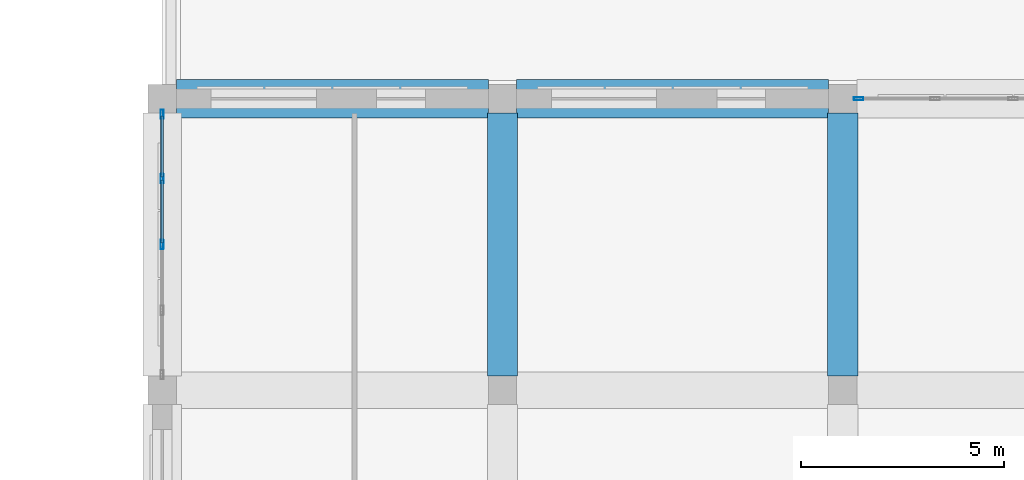
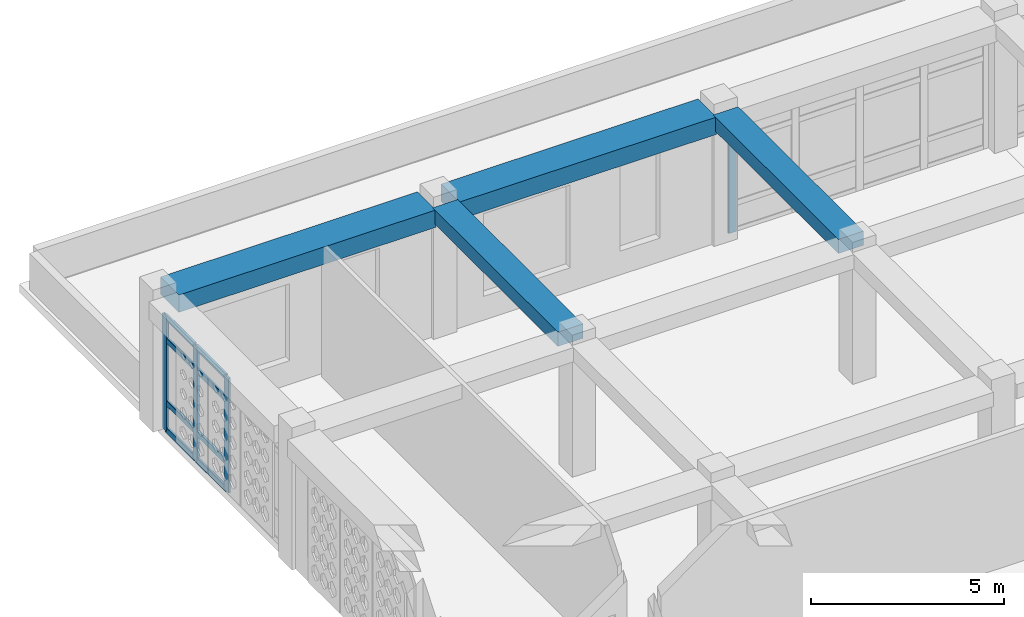
# One storey, part 31 of 100: 12 members, 4 beams, 2 elements without a shape of their own.
"""IFC4 building model written with IfcOpenShell, lengths in metres."""

from ifc_helpers import new_model, si_unit, derived_unit, direction, frame, origin, origin_2d, place, context, subcontext, project, spatial, rectangle, hollow_rectangle, extrude, material, material_profile, profile_set, type_object, element, aggregate, save


model = new_model("IFC4")

# Units and contexts
model_context = context("Model", 3, precision=1e-05, world=origin(), true_north=direction((0.0, 1.0)))
body_context = subcontext(model_context, "Body", "Model", "MODEL_VIEW")
ifc_project = project(units=[si_unit("LENGTHUNIT", "METRE"), si_unit("AREAUNIT", "SQUARE_METRE"), si_unit("VOLUMEUNIT", "CUBIC_METRE"), si_unit("PLANEANGLEUNIT", "RADIAN"), si_unit("MASSUNIT", "GRAM", prefix="KILO"), derived_unit("THERMALTRANSMITTANCEUNIT", [(si_unit("POWERUNIT", "WATT"), 1), (si_unit("LENGTHUNIT", "METRE"), -2), (si_unit("THERMODYNAMICTEMPERATUREUNIT", "KELVIN"), -1)])], contexts=[model_context])

# Site, building, storey
site_placement = place(None, origin())
site = spatial("IfcSite", under=ifc_project, at=site_placement, CompositionType="ELEMENT")
building_placement = place(site_placement, origin())
building = spatial("IfcBuilding", under=site, at=building_placement, Name="Veybourne Emporium", CompositionType="ELEMENT")
storey_placement = place(building_placement, frame((0.0, 0.0, 14.39990234375)))
storey = spatial("IfcBuildingStorey", under=building, at=storey_placement, Name="L03", CompositionType="ELEMENT", Elevation=14.39990234375)

# Curtain wall, members
ifc_material_1 = material(Name="Patinated Architectural Bronze", Category="bronze")
curtain_wall_type_1 = type_object("IfcCurtainWallType", Name="CWSystem_CWS-14", PredefinedType="NOTDEFINED", material=ifc_material_1)
curtain_wall_1_placement = place(storey_placement, origin())
curtain_wall_1 = element("IfcCurtainWall", 1, at=curtain_wall_1_placement, inside=storey, type_object=curtain_wall_type_1, Name="L03 bronze glazed curtain wall CWS-14 (024)", PredefinedType="NOTDEFINED")
ifc_material_profile_1 = material_profile(ifc_material_1, hollow_rectangle(XDim=0.074951171875, YDim=0.22998046875, WallThickness=0.0048828125, InnerFilletRadius=0.007568359375, OuterFilletRadius=0.012451171875, at=origin_2d()), Name="CWM 75x230x5")
ifc_profile_set_1 = profile_set([ifc_material_profile_1], Name="Patinated Architectural Bronze")
member_type_1 = type_object("IfcMemberType", Name="CWMullion_CW-M2", PredefinedType="MULLION", material=ifc_profile_set_1)
member_1_placement = place(storey_placement, frame((33.60009765625, 97.199951171875, 0.0), z_axis=(0.0, 0.0, 1.0), x_axis=(-1.0, 0.0, 0.0)))
member_1 = element("IfcMember", 2, at=member_1_placement, type_object=member_type_1, Name="CWS-14 mullion 3", PredefinedType="MULLION", context=body_context, shape_type="SweptSolid", body=[
    extrude(hollow_rectangle(XDim=0.074951171875, YDim=0.22998046875, WallThickness=0.0048828125, InnerFilletRadius=0.007568359375, OuterFilletRadius=0.012451171875, at=origin_2d()), origin(), (0.0, 0.0, 1.0), 3.630126953125),
])
member_2_placement = place(storey_placement, frame((33.60009765625, 98.824951171875, 0.0), z_axis=(0.0, 0.0, 1.0), x_axis=(-1.0, 0.0, 0.0)))
member_2 = element("IfcMember", 3, at=member_2_placement, type_object=member_type_1, Name="CWS-14 mullion 4", PredefinedType="MULLION", context=body_context, shape_type="SweptSolid", body=[
    extrude(hollow_rectangle(XDim=0.074951171875, YDim=0.22998046875, WallThickness=0.0048828125, InnerFilletRadius=0.007568359375, OuterFilletRadius=0.012451171875, at=origin_2d()), origin(), (0.0, 0.0, 1.0), 3.630126953125),
])
member_3_placement = place(storey_placement, frame((33.60009765625, 100.41259765625, 0.0), z_axis=(0.0, 0.0, 1.0), x_axis=(-1.0, 0.0, 0.0)))
member_3 = element("IfcMember", 4, at=member_3_placement, type_object=member_type_1, Name="CWS-14 mullion 5", PredefinedType="MULLION", context=body_context, shape_type="SweptSolid", body=[
    extrude(hollow_rectangle(XDim=0.074951171875, YDim=0.22998046875, WallThickness=0.0048828125, InnerFilletRadius=0.007568359375, OuterFilletRadius=0.012451171875, at=origin_2d()), origin(), (0.0, 0.0, 1.0), 3.630126953125),
])

# Curtain wall, member
curtain_wall_type_2 = type_object("IfcCurtainWallType", Name="CWSystem_CWS-15", PredefinedType="NOTDEFINED", material=ifc_material_1)
curtain_wall_2_placement = place(storey_placement, origin())
curtain_wall_2 = element("IfcCurtainWall", 5, at=curtain_wall_2_placement, inside=storey, type_object=curtain_wall_type_2, Name="L03 bronze glazed curtain wall CWS-15 (033)", PredefinedType="NOTDEFINED")
ifc_material_profile_2 = material_profile(ifc_material_1, hollow_rectangle(XDim=0.077880859375, YDim=0.235107421875, WallThickness=0.0048828125, InnerFilletRadius=0.007568359375, OuterFilletRadius=0.012451171875, at=origin_2d()), Name="CWM 78x235x5")
ifc_profile_set_2 = profile_set([ifc_material_profile_2], Name="Patinated Architectural Bronze")
member_type_2 = type_object("IfcMemberType", Name="CWMullion_CW-M3", PredefinedType="MULLION", material=ifc_profile_set_2)
member_4_placement = place(storey_placement, frame((50.7890625, 100.800048828125, 0.0), z_axis=(0.0, 0.0, 1.0), x_axis=(0.0, 1.0, 0.0)))
member_4 = element("IfcMember", 6, at=member_4_placement, type_object=member_type_2, Name="CWS-15 mullion 1", PredefinedType="MULLION", context=body_context, shape_type="SweptSolid", body=[
    extrude(hollow_rectangle(XDim=0.077880859375, YDim=0.235107421875, WallThickness=0.0048828125, InnerFilletRadius=0.007568359375, OuterFilletRadius=0.012451171875, at=origin_2d()), origin(), (0.0, 0.0, 1.0), 3.630126953125),
])
aggregate(curtain_wall_2, [member_4])

# Member
ifc_material_profile_3 = material_profile(ifc_material_1, hollow_rectangle(XDim=0.074951171875, YDim=0.179931640625, WallThickness=0.0048828125, InnerFilletRadius=0.007568359375, OuterFilletRadius=0.012451171875, at=origin_2d()), Name="CWT 75x180x5")
ifc_profile_set_3 = profile_set([ifc_material_profile_3], Name="Patinated Architectural Bronze")
member_type_3 = type_object("IfcMemberType", Name="CWTransom_CW-T2", PredefinedType="NOTDEFINED", material=ifc_profile_set_3)
member_5_placement = place(storey_placement, frame((33.60009765625, 97.237548828125, 0.03759765625), z_axis=(0.0, 1.0, 0.0), x_axis=(-1.0, 0.0, 0.0)))
member_5 = element("IfcMember", 7, at=member_5_placement, type_object=member_type_3, Name="CWS-14 transom 3.1", ObjectType="TRANSOM", PredefinedType="USERDEFINED", context=body_context, shape_type="SweptSolid", body=[
    extrude(hollow_rectangle(XDim=0.074951171875, YDim=0.179931640625, WallThickness=0.0048828125, InnerFilletRadius=0.007568359375, OuterFilletRadius=0.012451171875, at=origin_2d()), origin(), (0.0, 0.0, 1.0), 1.550048828125),
])

member_6_placement = place(storey_placement, frame((33.60009765625, 97.237548828125, 0.900146484375), z_axis=(0.0, 1.0, 0.0), x_axis=(-1.0, 0.0, 0.0)))
member_6 = element("IfcMember", 8, at=member_6_placement, type_object=member_type_3, Name="CWS-14 transom 3.2", ObjectType="TRANSOM", PredefinedType="USERDEFINED", context=body_context, shape_type="SweptSolid", body=[
    extrude(hollow_rectangle(XDim=0.074951171875, YDim=0.179931640625, WallThickness=0.0048828125, InnerFilletRadius=0.007568359375, OuterFilletRadius=0.012451171875, at=origin_2d()), origin(), (0.0, 0.0, 1.0), 1.550048828125),
])

member_7_placement = place(storey_placement, frame((33.60009765625, 97.237548828125, 2.880126953125), z_axis=(0.0, 1.0, 0.0), x_axis=(-1.0, 0.0, 0.0)))
member_7 = element("IfcMember", 9, at=member_7_placement, type_object=member_type_3, Name="CWS-14 transom 3.3", ObjectType="TRANSOM", PredefinedType="USERDEFINED", context=body_context, shape_type="SweptSolid", body=[
    extrude(hollow_rectangle(XDim=0.074951171875, YDim=0.179931640625, WallThickness=0.0048828125, InnerFilletRadius=0.007568359375, OuterFilletRadius=0.012451171875, at=origin_2d()), origin(), (0.0, 0.0, 1.0), 1.550048828125),
])

member_8_placement = place(storey_placement, frame((33.60009765625, 97.237548828125, 3.592529296875), z_axis=(0.0, 1.0, 0.0), x_axis=(-1.0, 0.0, 0.0)))
member_8 = element("IfcMember", 10, at=member_8_placement, type_object=member_type_3, Name="CWS-14 transom 3.4", ObjectType="TRANSOM", PredefinedType="USERDEFINED", context=body_context, shape_type="SweptSolid", body=[
    extrude(hollow_rectangle(XDim=0.074951171875, YDim=0.179931640625, WallThickness=0.0048828125, InnerFilletRadius=0.007568359375, OuterFilletRadius=0.012451171875, at=origin_2d()), origin(), (0.0, 0.0, 1.0), 1.550048828125),
])

member_9_placement = place(storey_placement, frame((33.60009765625, 98.862548828125, 0.03759765625), z_axis=(0.0, 1.0, 0.0), x_axis=(-1.0, 0.0, 0.0)))
member_9 = element("IfcMember", 11, at=member_9_placement, type_object=member_type_3, Name="CWS-14 transom 4.1", ObjectType="TRANSOM", PredefinedType="USERDEFINED", context=body_context, shape_type="SweptSolid", body=[
    extrude(hollow_rectangle(XDim=0.074951171875, YDim=0.179931640625, WallThickness=0.0048828125, InnerFilletRadius=0.007568359375, OuterFilletRadius=0.012451171875, at=origin_2d()), origin(), (0.0, 0.0, 1.0), 1.512451171875),
])

member_10_placement = place(storey_placement, frame((33.60009765625, 98.862548828125, 0.900146484375), z_axis=(0.0, 1.0, 0.0), x_axis=(-1.0, 0.0, 0.0)))
member_10 = element("IfcMember", 12, at=member_10_placement, type_object=member_type_3, Name="CWS-14 transom 4.2", ObjectType="TRANSOM", PredefinedType="USERDEFINED", context=body_context, shape_type="SweptSolid", body=[
    extrude(hollow_rectangle(XDim=0.074951171875, YDim=0.179931640625, WallThickness=0.0048828125, InnerFilletRadius=0.007568359375, OuterFilletRadius=0.012451171875, at=origin_2d()), origin(), (0.0, 0.0, 1.0), 1.512451171875),
])

member_11_placement = place(storey_placement, frame((33.60009765625, 98.862548828125, 2.880126953125), z_axis=(0.0, 1.0, 0.0), x_axis=(-1.0, 0.0, 0.0)))
member_11 = element("IfcMember", 13, at=member_11_placement, type_object=member_type_3, Name="CWS-14 transom 4.3", ObjectType="TRANSOM", PredefinedType="USERDEFINED", context=body_context, shape_type="SweptSolid", body=[
    extrude(hollow_rectangle(XDim=0.074951171875, YDim=0.179931640625, WallThickness=0.0048828125, InnerFilletRadius=0.007568359375, OuterFilletRadius=0.012451171875, at=origin_2d()), origin(), (0.0, 0.0, 1.0), 1.512451171875),
])

member_12_placement = place(storey_placement, frame((33.60009765625, 98.862548828125, 3.592529296875), z_axis=(0.0, 1.0, 0.0), x_axis=(-1.0, 0.0, 0.0)))
member_12 = element("IfcMember", 14, at=member_12_placement, type_object=member_type_3, Name="CWS-14 transom 4.4", ObjectType="TRANSOM", PredefinedType="USERDEFINED", context=body_context, shape_type="SweptSolid", body=[
    extrude(hollow_rectangle(XDim=0.074951171875, YDim=0.179931640625, WallThickness=0.0048828125, InnerFilletRadius=0.007568359375, OuterFilletRadius=0.012451171875, at=origin_2d()), origin(), (0.0, 0.0, 1.0), 1.512451171875),
])

aggregate(curtain_wall_1, [member_1, member_2, member_3, member_5, member_6, member_7, member_8, member_9, member_10, member_11, member_12])

# Beams
ifc_material_2 = material(Name="Concrete C32/40", Category="concrete")
ifc_material_profile_4 = material_profile(ifc_material_2, rectangle(XDim=0.75, YDim=0.449951171875, at=origin_2d()), Name="RC 750x450")
ifc_profile_set_4 = profile_set([ifc_material_profile_4], Name="Concrete C32/40")
beam_type_1 = type_object("IfcBeamType", Name="RCBeam_BB-04", PredefinedType="BEAM", material=ifc_profile_set_4)
for number, where, z_axis, x_axis, name in (
    (15, (42.0, 93.949951171875, 3.955078125), (0.0, 1.0, 0.0), (-1.0, 0.0, 0.0), "L03 Y-grid beam BB-04 (5,13)"),
    (16, (50.39990234375, 93.949951171875, 3.955078125), (0.0, 1.0, 0.0), (-1.0, 0.0, 0.0), "L03 Y-grid beam BB-04 (6,13)"),
):
    element("IfcBeam", number, at=place(storey_placement, frame(where, z_axis=z_axis, x_axis=x_axis)), inside=storey, type_object=beam_type_1, Name=name, PredefinedType="BEAM", context=body_context, shape_type="SweptSolid", body=[
        extrude(rectangle(XDim=0.75, YDim=0.449951171875, at=origin_2d()), origin(), (0.0, 0.0, 1.0), 6.5),
    ])
ifc_material_profile_5 = material_profile(ifc_material_2, rectangle(XDim=0.949951171875, YDim=0.550048828125, at=origin_2d()), Name="RC 950x550")
ifc_profile_set_5 = profile_set([ifc_material_profile_5], Name="Concrete C32/40")
beam_type_2 = type_object("IfcBeamType", Name="RCBeam_EB-01", PredefinedType="SPANDREL", material=ifc_profile_set_5)
for number, where, z_axis, x_axis, name in (
    (17, (33.949951171875, 100.800048828125, 3.905029296875), (1.0, 0.0, 0.0), (0.0, 1.0, 0.0), "L03 X-grid beam EB-01 (4,14)"),
    (18, (42.35009765625, 100.800048828125, 3.905029296875), (1.0, 0.0, 0.0), (0.0, 1.0, 0.0), "L03 X-grid beam EB-01 (5,14)"),
):
    element("IfcBeam", number, at=place(storey_placement, frame(where, z_axis=z_axis, x_axis=x_axis)), inside=storey, type_object=beam_type_2, Name=name, PredefinedType="SPANDREL", context=body_context, shape_type="SweptSolid", body=[
        extrude(rectangle(XDim=0.949951171875, YDim=0.550048828125, at=origin_2d()), origin(), (0.0, 0.0, 1.0), 7.699951171875),
    ])

save(model, "model.ifc")
